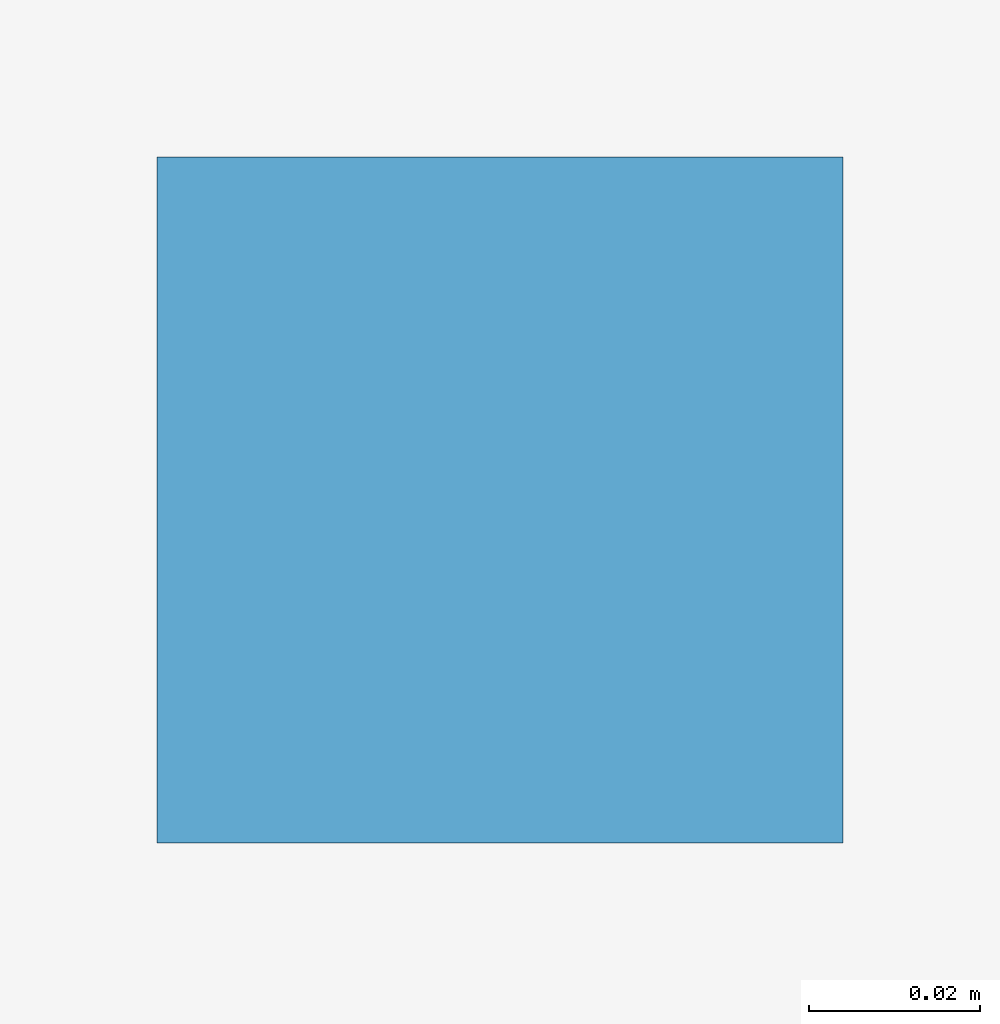
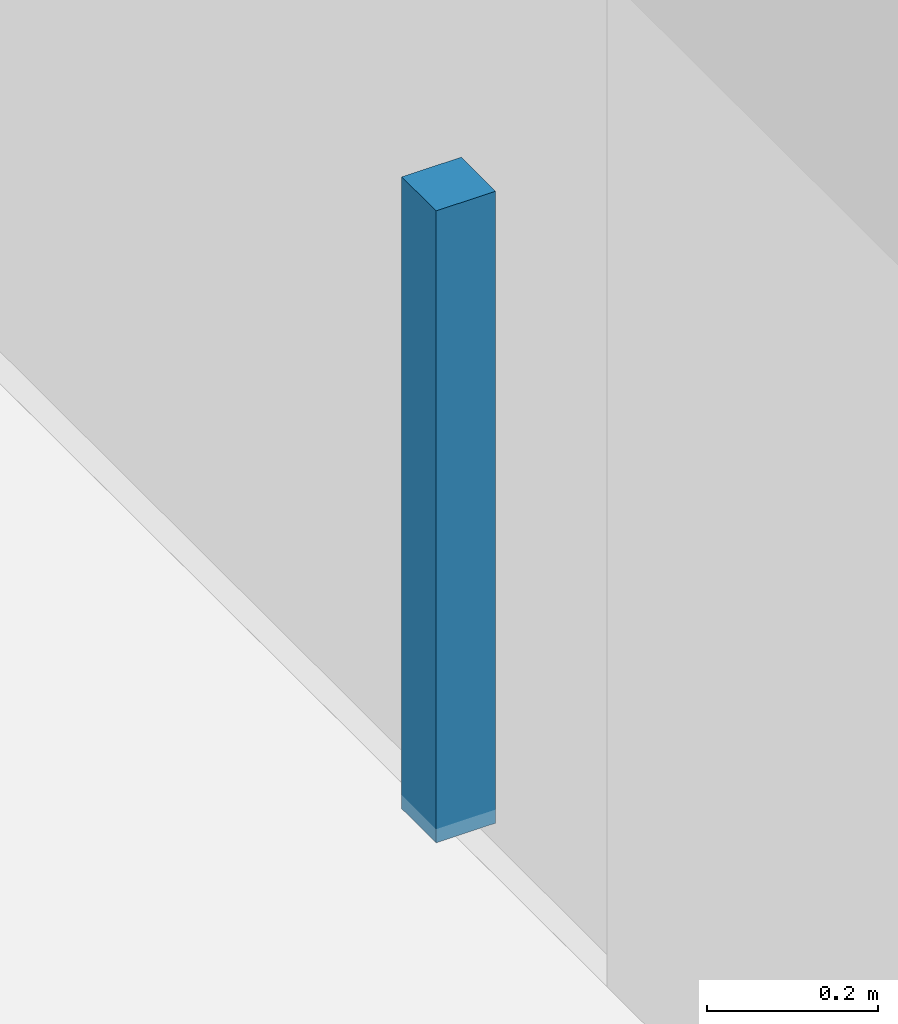
# One storey, part 44 of 53: 1 discrete accessory.
"""IFC4 building model written with IfcOpenShell, lengths in metres."""

from ifc_helpers import new_model, si_unit, derived_unit, direction, frame, origin, origin_2d, place, context, subcontext, project, spatial, rectangle, extrude, material, type_object, element, save


model = new_model("IFC4")

# Units and contexts
model_context = context("Model", 3, precision=1e-05, world=origin(), true_north=direction((0.0, 1.0)))
body_context = subcontext(model_context, "Body", "Model", "MODEL_VIEW")
ifc_project = project(units=[si_unit("LENGTHUNIT", "METRE"), si_unit("AREAUNIT", "SQUARE_METRE"), si_unit("VOLUMEUNIT", "CUBIC_METRE"), si_unit("PLANEANGLEUNIT", "RADIAN"), si_unit("MASSUNIT", "GRAM", prefix="KILO"), derived_unit("THERMALTRANSMITTANCEUNIT", [(si_unit("POWERUNIT", "WATT"), 1), (si_unit("LENGTHUNIT", "METRE"), -2), (si_unit("THERMODYNAMICTEMPERATUREUNIT", "KELVIN"), -1)])], contexts=[model_context])

# Site, building, storey
site_placement = place(None, origin())
site = spatial("IfcSite", under=ifc_project, at=site_placement, CompositionType="ELEMENT")
building_placement = place(site_placement, origin())
building = spatial("IfcBuilding", under=site, at=building_placement, Name="Almenara Railside Exhibition Hall", CompositionType="ELEMENT")
storey_placement = place(building_placement, origin())
storey = spatial("IfcBuildingStorey", under=building, at=storey_placement, Name="L00", CompositionType="ELEMENT", Elevation=0.0)

# Discrete accessory
ifc_material = material(Name="Galvanised steel suspension bracket", Category="steel")
discrete_accessory_type = type_object("IfcDiscreteAccessoryType", Name="Ceiling Suspension Bracket Hanger", PredefinedType="BRACKET", material=ifc_material)
discrete_accessory_placement = place(storey_placement, frame((99.0, 93.0, 4.280029296875), z_axis=(0.0, 0.0, 1.0), x_axis=(1.0, 0.0, 0.0)))
element("IfcDiscreteAccessory", 1, at=discrete_accessory_placement, inside=storey, type_object=discrete_accessory_type, Name="Ceiling suspension hanger 0007", PredefinedType="BRACKET", context=body_context, shape_type="SweptSolid", body=[
    extrude(rectangle(XDim=0.080078125, YDim=0.080078125, at=origin_2d()), origin(), (0.0, 0.0, 1.0), 0.89990234375),
])

save(model, "model.ifc")
